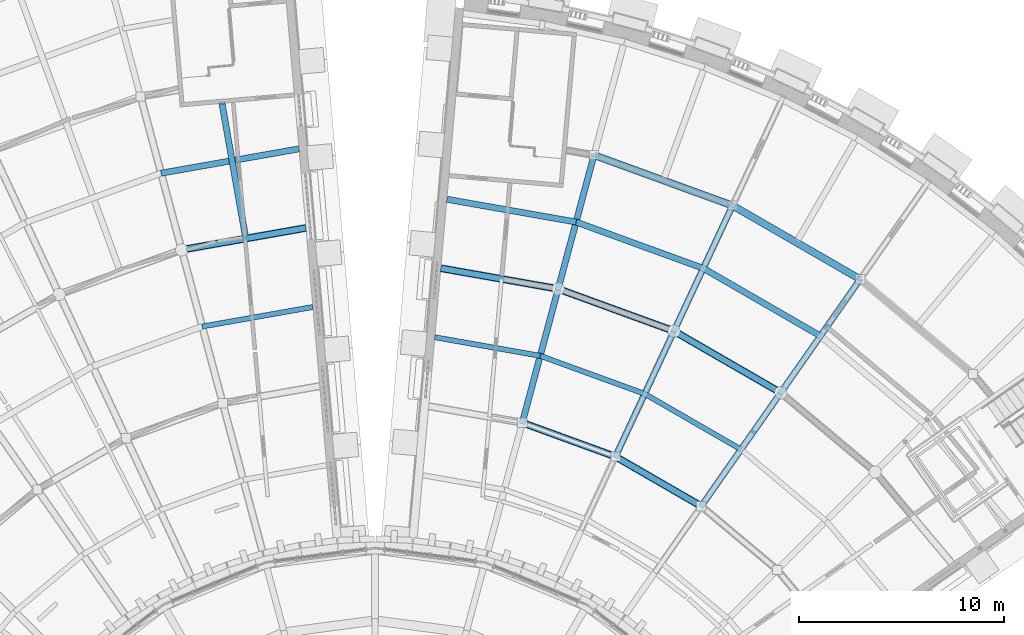
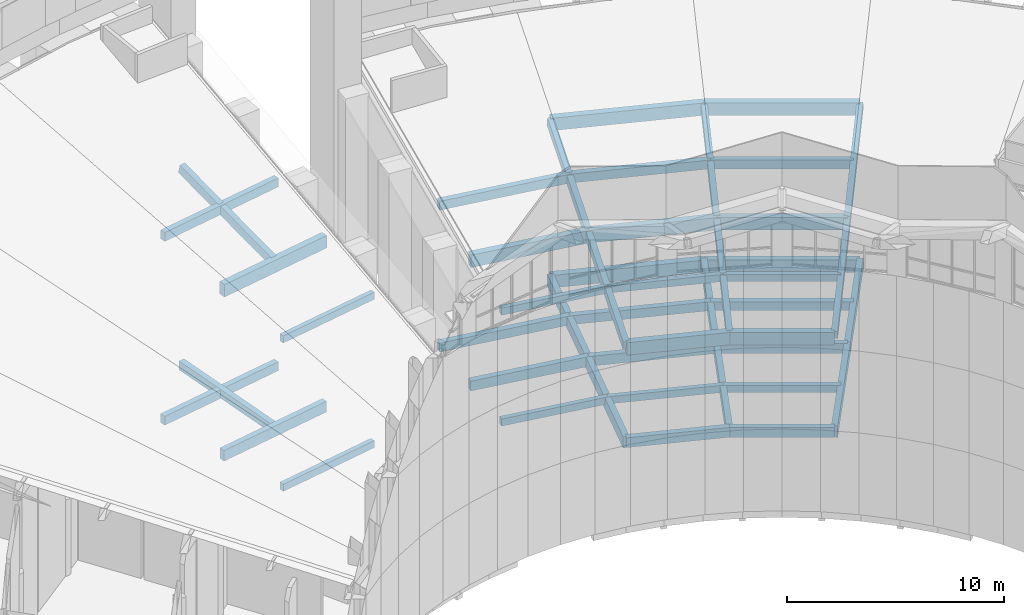
# One storey, part 27 of 82: 46 beams.
"""IFC4 building model written with IfcOpenShell, lengths in metres."""

import ifcopenshell
import ifcopenshell.guid

model = None  # the IFC model being written
_history = None  # IfcOwnerHistory: only IFC2X3 demands one
_inside = {}  # id of a spatial element -> (the spatial element, [elements in it])
_under = {}  # id of a project, library or spatial element -> (it, [spatial elements below it])
_declared = {}  # id of a project -> (the project, [libraries it declares])
_typed = {}  # id of a type object -> (the type object, [elements of that type])
_made_of = {}  # id of a material, layer set ... -> (it, [elements and type objects made of it])


def new_model(schema):
    """Start an empty IFC model of exactly this schema.

    Asked for "IFC4X3", IfcOpenShell would pick the latest addendum, in which some entities
    have other attributes; the version numbers below select the first issue.
    IFC2X3 requires an IfcOwnerHistory on every rooted entity: one is made here for all.
    """
    global model, _history
    if schema == "IFC4X3":
        model = ifcopenshell.file(schema_version=(4, 3, 0, 0))
    else:
        model = ifcopenshell.file(schema=schema)
    _inside.clear()
    _under.clear()
    _declared.clear()
    _typed.clear()
    _made_of.clear()
    _history = None
    if model.schema == "IFC2X3":
        org = make("IfcOrganization", Name="unknown")
        user = make(
            "IfcPersonAndOrganization",
            ThePerson=make("IfcPerson", FamilyName="unknown"),
            TheOrganization=org,
        )
        app = make(
            "IfcApplication",
            ApplicationDeveloper=org,
            Version="unknown",
            ApplicationFullName="unknown",
            ApplicationIdentifier="unknown",
        )
        _history = make(
            "IfcOwnerHistory",
            OwningUser=user,
            OwningApplication=app,
            ChangeAction="ADDED",
            CreationDate=0,
        )
    return model


def make(cls, **values):
    """One entity of the class cls with the attributes given. An attribute that is None is left unset."""
    return model.create_entity(
        cls, **{name: value for name, value in values.items() if value is not None}
    )


def rooted(cls, **values):
    """An entity with a GlobalId (a new one), such as an element, a storey or a relation."""
    return make(cls, GlobalId=ifcopenshell.guid.new(), OwnerHistory=_history, **values)


def si_unit(unit_type, name, prefix=None):
    """IfcSIUnit, for example si_unit("LENGTHUNIT", "METRE", prefix="MILLI")."""
    return make("IfcSIUnit", UnitType=unit_type, Prefix=prefix, Name=name)


def assignment(units):
    """IfcUnitAssignment: the units of a project."""
    return None if units is None else make("IfcUnitAssignment", Units=units)


def point(xyz):
    """IfcCartesianPoint."""
    return None if xyz is None else make("IfcCartesianPoint", Coordinates=xyz)


def direction(xyz):
    """IfcDirection."""
    return None if xyz is None else make("IfcDirection", DirectionRatios=xyz)


def frame(location, z_axis=None, x_axis=None):
    """IfcAxis2Placement3D, a coordinate frame: its origin and axes. An axis left out is left unset."""
    return make(
        "IfcAxis2Placement3D",
        Location=point(location),
        Axis=direction(z_axis),
        RefDirection=direction(x_axis),
    )


def frame_2d(location, x_axis=None):
    """IfcAxis2Placement2D, a coordinate frame in the plane: its origin and x axis."""
    return make(
        "IfcAxis2Placement2D", Location=point(location), RefDirection=direction(x_axis)
    )


def origin():
    """The frame at (0, 0, 0) with its axes left unset."""
    return frame((0.0, 0.0, 0.0))


def origin_2d():
    """The frame at (0, 0) in the plane with its x axis left unset."""
    return frame_2d((0.0, 0.0))


def place(relative_to, where):
    """IfcLocalPlacement: puts the frame where relative to a parent placement (None: the world)."""
    return make(
        "IfcLocalPlacement", PlacementRelTo=relative_to, RelativePlacement=where
    )


def context(
    kind, dimensions, precision=None, world=None, true_north=None, identifier=None
):
    """IfcGeometricRepresentationContext, for example the 3D "Model" context."""
    return make(
        "IfcGeometricRepresentationContext",
        ContextIdentifier=identifier,
        ContextType=kind,
        CoordinateSpaceDimension=dimensions,
        Precision=precision,
        WorldCoordinateSystem=world,
        TrueNorth=true_north,
    )


def subcontext(parent, identifier, kind, view, scale=None):
    """IfcGeometricRepresentationSubContext, for example "Body" below "Model"."""
    return make(
        "IfcGeometricRepresentationSubContext",
        ContextIdentifier=identifier,
        ContextType=kind,
        ParentContext=parent,
        TargetScale=scale,
        TargetView=view,
    )


def project(units=None, contexts=None):
    """IfcProject with its units and contexts."""
    return rooted(
        "IfcProject",
        Name="project",
        RepresentationContexts=contexts,
        UnitsInContext=assignment(units),
    )


def spatial(cls, under=None, at=None, **own):
    """A site, building, storey or space (cls), placed at a placement, below another one or the project."""
    s = rooted(cls, ObjectPlacement=at, **own)
    if under is not None:
        _under.setdefault(under.id(), (under, []))[1].append(s)
    return s


def profile(cls, at=None, kind="AREA", **sizes):
    """A parametric profile (cls). Its sizes go by their IFC names, for example OverallWidth=200.0."""
    return make(cls, ProfileType=kind, Position=at, **sizes)


def rectangle(**sizes):
    """IfcRectangleProfileDef."""
    return profile("IfcRectangleProfileDef", **sizes)


def extrude(swept, where, along, depth):
    """IfcExtrudedAreaSolid: the profile swept, set in the frame where, extruded along a direction by depth."""
    return make(
        "IfcExtrudedAreaSolid",
        SweptArea=swept,
        Position=where,
        ExtrudedDirection=direction(along),
        Depth=depth,
    )


def shape(context_of_items, identifier, shape_type, items):
    """IfcShapeRepresentation: the items that make up one representation, for example the "Body"."""
    return make(
        "IfcShapeRepresentation",
        ContextOfItems=context_of_items,
        RepresentationIdentifier=identifier,
        RepresentationType=shape_type,
        Items=items,
    )


def material(Name=None, Category=None):
    """IfcMaterial."""
    return make("IfcMaterial", Name=Name, Category=Category)


def material_profile(
    of_material, cross_section, Name=None, Category=None, Priority=None
):
    """IfcMaterialProfile: a cross section and its material."""
    return make(
        "IfcMaterialProfile",
        Name=Name,
        Material=of_material,
        Profile=cross_section,
        Priority=Priority,
        Category=Category,
    )


def profile_set(profiles, Name=None, composite=None):
    """IfcMaterialProfileSet."""
    return make(
        "IfcMaterialProfileSet",
        Name=Name,
        MaterialProfiles=profiles,
        CompositeProfile=composite,
    )


def made_of(thing, what):
    """Note that an element or type object is made of a material, layer set ...; save() writes the relation."""
    if what is not None:
        _made_of.setdefault(what.id(), (what, []))[1].append(thing)
    return thing


def type_object(cls, material=None, **own):
    """A type object (cls), such as IfcWallType, which elements share."""
    return made_of(rooted(cls, **own), material)


def element(
    cls,
    number,
    at=None,
    inside=None,
    cuts=None,
    type_object=None,
    material=None,
    context=None,
    identifier="Body",
    shape_type=None,
    held_by="IfcProductDefinitionShape",
    body=None,
    shapes=None,
    **own,
):
    """One element of the class cls, such as IfcWall. Its Tag is "e" and its number.

    at: its placement. inside: the storey or other place that contains it. cuts: it is an
    opening in that element (IfcRelVoidsElement). A single representation is given by context,
    identifier, shape_type and body (its items); several are given by shapes. held_by: the class
    of the entity that holds the representations. save() writes the other relations.
    """
    e = rooted(cls, Tag="e%d" % number, ObjectPlacement=at, **own)
    if body is not None:
        shapes = [shape(context, identifier, shape_type, body)]
    if shapes is not None:
        e.Representation = make(held_by, Representations=shapes)
    if inside is not None:
        _inside.setdefault(inside.id(), (inside, []))[1].append(e)
    if cuts is not None:
        rooted(
            "IfcRelVoidsElement", RelatingBuildingElement=cuts, RelatedOpeningElement=e
        )
    if type_object is not None:
        _typed.setdefault(type_object.id(), (type_object, []))[1].append(e)
    return made_of(e, material)


def aggregate(whole, parts):
    """IfcRelAggregates: a whole, such as a stair, and the parts it consists of."""
    return rooted("IfcRelAggregates", RelatingObject=whole, RelatedObjects=parts)


def save(model, path):
    """Write the relations noted so far, then the file.

    IfcRelAggregates (storeys below a building ...), IfcRelContainedInSpatialStructure (elements
    in a storey), IfcRelDefinesByType, IfcRelAssociatesMaterial and IfcRelDeclares: one each for
    every whole, place, type object, material and project.
    """
    for whole, parts in _under.values():
        aggregate(whole, parts)
    for where, things in _inside.values():
        rooted(
            "IfcRelContainedInSpatialStructure",
            RelatedElements=things,
            RelatingStructure=where,
        )
    for kind, things in _typed.values():
        rooted("IfcRelDefinesByType", RelatedObjects=things, RelatingType=kind)
    for what, things in _made_of.values():
        rooted("IfcRelAssociatesMaterial", RelatedObjects=things, RelatingMaterial=what)
    for by, libraries in _declared.values():
        rooted("IfcRelDeclares", RelatingContext=by, RelatedDefinitions=libraries)
    model.write(path)


model = new_model("IFC4")

# Units and contexts
model_context = context("Model", 3, precision=1e-05, world=origin(), true_north=direction((0.0, 1.0)))
body_context = subcontext(model_context, "Body", "Model", "MODEL_VIEW")
ifc_project = project(units=[si_unit("LENGTHUNIT", "METRE"), si_unit("AREAUNIT", "SQUARE_METRE"), si_unit("VOLUMEUNIT", "CUBIC_METRE"), si_unit("PLANEANGLEUNIT", "RADIAN"), si_unit("MASSUNIT", "GRAM", prefix="KILO")], contexts=[model_context])

# Site, building, storey
site_placement = place(None, origin())
site = spatial("IfcSite", under=ifc_project, at=site_placement, CompositionType="ELEMENT")
building_placement = place(site_placement, origin())
building = spatial("IfcBuilding", under=site, at=building_placement, Name="Volute Hill Aquarium", CompositionType="ELEMENT")
storey_placement = place(building_placement, frame((0.0, 0.0, 13.800048828125)))
storey = spatial("IfcBuildingStorey", under=building, at=storey_placement, Name="L04", CompositionType="ELEMENT", Elevation=13.800048828125)

# Beams
ifc_material_1 = material(Name="Concrete C35/45", Category="concrete")
ifc_material_profile_1 = material_profile(ifc_material_1, rectangle(XDim=0.300048828125, YDim=0.550048828125, at=origin_2d()), Name="RC beam 300x550")
ifc_profile_set_1 = profile_set([ifc_material_profile_1], Name="Concrete C35/45")
beam_type_1 = type_object("IfcBeamType", Name="Beam 300x550 C35/45", PredefinedType="BEAM", material=ifc_profile_set_1)
beam_1_placement = place(storey_placement, frame((15.923828125, 22.74169921875, -0.56494140625), z_axis=(-0.866020919347, 0.500007767194, 0.0), x_axis=(-0.500007767194, -0.866020919347, 0.0)))
element("IfcBeam", 1, at=beam_1_placement, inside=storey, type_object=beam_type_1, Name="bm/S5/L04/ring1.19", PredefinedType="BEAM", context=body_context, shape_type="SweptSolid", body=[
    extrude(rectangle(XDim=0.300048828125, YDim=0.550048828125, at=origin_2d()), origin(), (0.0, 0.0, 1.0), 4.83935546875),
])
beam_2_placement = place(storey_placement, frame((11.73291015625, 25.161376953125, -0.56494140625), z_axis=(-0.939697640454, 0.342006351586, 0.0), x_axis=(-0.342006351586, -0.939697640454, 0.0)))
element("IfcBeam", 2, at=beam_2_placement, inside=storey, type_object=beam_type_1, Name="bm/S5/L04/ring1.20", PredefinedType="BEAM", context=body_context, shape_type="SweptSolid", body=[
    extrude(rectangle(XDim=0.300048828125, YDim=0.550048828125, at=origin_2d()), origin(), (0.0, 0.0, 1.0), 4.839111328125),
])
for number, where, z_axis, x_axis, name in (
    (3, (19.802734375, 28.28125, -0.56494140625), (-0.866030208905, 0.499991677195, 0.0), (-0.499991677195, -0.866030208905, 0.0), "bm/S5/L04/ring2.24"),
    (4, (14.5908203125, 31.290283203125, -0.56494140625), (-0.939687959922, 0.342032948673, 0.0), (-0.342032948673, -0.939687959922, 0.0), "bm/S5/L04/ring2.25"),
):
    element("IfcBeam", number, at=place(storey_placement, frame(where, z_axis=z_axis, x_axis=x_axis)), inside=storey, type_object=beam_type_1, Name=name, PredefinedType="BEAM", context=body_context, shape_type="SweptSolid", body=[
        extrude(rectangle(XDim=0.300048828125, YDim=0.550048828125, at=origin_2d()), origin(), (0.0, 0.0, 1.0), 6.01806640625),
    ])
beam_3_placement = place(storey_placement, frame((8.935791015625, 33.3486328125, -0.56494140625), z_axis=(-0.984812696983, 0.173620136684, 0.0), x_axis=(-0.173620136684, -0.984812696983, 0.0)))
element("IfcBeam", 5, at=beam_3_placement, inside=storey, type_object=beam_type_1, Name="bm/S5/L04/ring2.26", PredefinedType="BEAM", context=body_context, shape_type="SweptSolid", body=[
    extrude(rectangle(XDim=0.300048828125, YDim=0.550048828125, at=origin_2d()), origin(), (0.0, 0.0, 1.0), 5.8173828125),
])
ifc_material_2 = material(Name="Concrete C35/45", Category="concrete")
ifc_material_profile_2 = material_profile(ifc_material_2, rectangle(XDim=0.300048828125, YDim=0.60009765625, at=origin_2d()), Name="RC beam 300x600")
ifc_profile_set_2 = profile_set([ifc_material_profile_2], Name="Concrete C35/45")
beam_type_2 = type_object("IfcBeamType", Name="Beam 300x600 C35/45", PredefinedType="BEAM", material=ifc_profile_set_2)
beam_4_placement = place(storey_placement, frame((-3.37890625, 36.326171875, -0.6201171875), z_axis=(-0.984811866367, -0.173624848056, 0.0), x_axis=(0.173624848056, -0.984811866367, 0.0)))
element("IfcBeam", 6, at=beam_4_placement, inside=storey, type_object=beam_type_2, Name="bm/S6/L04/ring2.22", PredefinedType="BEAM", context=body_context, shape_type="SweptSolid", body=[
    extrude(rectangle(XDim=0.300048828125, YDim=0.60009765625, at=origin_2d()), origin(), (0.0, 0.0, 1.0), 6.16162109375),
])
ifc_material_3 = material(Name="Concrete C35/45", Category="concrete")
ifc_material_profile_3 = material_profile(ifc_material_3, rectangle(XDim=0.300048828125, YDim=0.64990234375, at=origin_2d()), Name="RC beam 300x650")
ifc_profile_set_3 = profile_set([ifc_material_profile_3], Name="Concrete C35/45")
beam_type_3 = type_object("IfcBeamType", Name="Beam 300x650 C35/45", PredefinedType="BEAM", material=ifc_profile_set_3)
beam_5_placement = place(storey_placement, frame((15.923828125, 22.74169921875, -0.614990234375), z_axis=(0.573583484669, 0.819147108959, 0.0), x_axis=(-0.819147108959, 0.573583484669, 0.0)))
element("IfcBeam", 7, at=beam_5_placement, inside=storey, type_object=beam_type_3, Name="bm/S5/L04/rad2.6", PredefinedType="BEAM", context=body_context, shape_type="SweptSolid", body=[
    extrude(rectangle(XDim=0.300048828125, YDim=0.64990234375, at=origin_2d()), origin(), (0.0, 0.0, 1.0), 6.7626953125),
])
for number, where, z_axis, x_axis, name in (
    (8, (19.802734375, 28.28125, -0.614990234375), (0.573559259618, 0.819164071299, 0.0), (-0.819164071299, 0.573559259618, 0.0), "bm/S5/L04/rad2.7"),
    (9, (11.73291015625, 25.161376953125, -0.614990234375), (0.422612703053, 0.906310379074, 0.0), (-0.906310379074, 0.422612703053, 0.0), "bm/S5/L04/rad3.10"),
):
    element("IfcBeam", number, at=place(storey_placement, frame(where, z_axis=z_axis, x_axis=x_axis)), inside=storey, type_object=beam_type_3, Name=name, PredefinedType="BEAM", context=body_context, shape_type="SweptSolid", body=[
        extrude(rectangle(XDim=0.300048828125, YDim=0.64990234375, at=origin_2d()), origin(), (0.0, 0.0, 1.0), 6.762451171875),
    ])
for number, where, z_axis, x_axis, name in (
    (10, (14.5908203125, 31.290283203125, -0.614990234375), (0.422642356692, 0.906296550986, 0.0), (-0.906296550986, 0.422642356692, 0.0), "bm/S5/L04/rad3.11"),
    (11, (7.185546875, 26.81640625, -0.614990234375), (0.258810671738, 0.965928069886, 0.0), (-0.965928069886, 0.258810671738, 0.0), "bm/S5/L04/rad4.14"),
):
    element("IfcBeam", number, at=place(storey_placement, frame(where, z_axis=z_axis, x_axis=x_axis)), inside=storey, type_object=beam_type_3, Name=name, PredefinedType="BEAM", context=body_context, shape_type="SweptSolid", body=[
        extrude(rectangle(XDim=0.300048828125, YDim=0.64990234375, at=origin_2d()), origin(), (0.0, 0.0, 1.0), 6.7626953125),
    ])
beam_6_placement = place(storey_placement, frame((8.935791015625, 33.3486328125, -0.614990234375), z_axis=(0.258819697111, 0.965925651584, 0.0), x_axis=(-0.965925651584, 0.258819697111, 0.0)))
element("IfcBeam", 12, at=beam_6_placement, inside=storey, type_object=beam_type_3, Name="bm/S5/L04/rad4.15", PredefinedType="BEAM", context=body_context, shape_type="SweptSolid", body=[
    extrude(rectangle(XDim=0.300048828125, YDim=0.64990234375, at=origin_2d()), origin(), (0.0, 0.0, 1.0), 6.762451171875),
])
ifc_material_4 = material(Name="Concrete C35/45", Category="concrete")
ifc_material_profile_4 = material_profile(ifc_material_4, rectangle(XDim=0.35009765625, YDim=0.699951171875, at=origin_2d()), Name="RC beam 350x700")
ifc_profile_set_4 = profile_set([ifc_material_profile_4], Name="Concrete C35/45")
beam_type_4 = type_object("IfcBeamType", Name="Beam 350x700 C35/45", PredefinedType="BEAM", material=ifc_profile_set_4)
beam_7_placement = place(storey_placement, frame((23.681396484375, 33.82080078125, -0.64013671875), z_axis=(-0.866019493664, 0.50001023649, 0.0), x_axis=(-0.50001023649, -0.866019493664, 0.0)))
element("IfcBeam", 13, at=beam_7_placement, inside=storey, type_object=beam_type_4, Name="bm/S5/L04/ring3.29", PredefinedType="BEAM", context=body_context, shape_type="SweptSolid", body=[
    extrude(rectangle(XDim=0.35009765625, YDim=0.699951171875, at=origin_2d()), origin(), (0.0, 0.0, 1.0), 7.196533203125),
])
beam_8_placement = place(storey_placement, frame((17.448974609375, 37.419189453125, -0.64013671875), z_axis=(-0.939696321717, 0.34200997493, 0.0), x_axis=(-0.34200997493, -0.939696321717, 0.0)))
element("IfcBeam", 14, at=beam_8_placement, inside=storey, type_object=beam_type_4, Name="bm/S5/L04/ring3.30", PredefinedType="BEAM", context=body_context, shape_type="SweptSolid", body=[
    extrude(rectangle(XDim=0.35009765625, YDim=0.699951171875, at=origin_2d()), origin(), (0.0, 0.0, 1.0), 7.197021484375),
])
beam_9_placement = place(storey_placement, frame((15.923828125, 22.74169921875, 4.730224609375), z_axis=(-0.866020919347, 0.500007767194, 0.0), x_axis=(-0.500007767194, -0.866020919347, 0.0)))
element("IfcBeam", 15, at=beam_9_placement, inside=storey, type_object=beam_type_4, Name="rb/S5/L04/ring1.19", PredefinedType="BEAM", context=body_context, shape_type="SweptSolid", body=[
    extrude(rectangle(XDim=0.35009765625, YDim=0.699951171875, at=origin_2d()), origin(), (0.0, 0.0, 1.0), 4.83935546875),
])
beam_10_placement = place(storey_placement, frame((11.73291015625, 25.161376953125, 4.730224609375), z_axis=(-0.939697640454, 0.342006351586, 0.0), x_axis=(-0.342006351586, -0.939697640454, 0.0)))
element("IfcBeam", 16, at=beam_10_placement, inside=storey, type_object=beam_type_4, Name="rb/S5/L04/ring1.20", PredefinedType="BEAM", context=body_context, shape_type="SweptSolid", body=[
    extrude(rectangle(XDim=0.35009765625, YDim=0.699951171875, at=origin_2d()), origin(), (0.0, 0.0, 1.0), 4.839111328125),
])
for number, where, z_axis, x_axis, name in (
    (17, (19.802734375, 28.28125, 6.46875), (-0.866030208905, 0.499991677195, 0.0), (-0.499991677195, -0.866030208905, 0.0), "rb/S5/L04/ring2.24"),
    (18, (14.5908203125, 31.290283203125, 6.46875), (-0.939687959922, 0.342032948673, 0.0), (-0.342032948673, -0.939687959922, 0.0), "rb/S5/L04/ring2.25"),
):
    element("IfcBeam", number, at=place(storey_placement, frame(where, z_axis=z_axis, x_axis=x_axis)), inside=storey, type_object=beam_type_4, Name=name, PredefinedType="BEAM", context=body_context, shape_type="SweptSolid", body=[
        extrude(rectangle(XDim=0.35009765625, YDim=0.699951171875, at=origin_2d()), origin(), (0.0, 0.0, 1.0), 6.01806640625),
    ])
beam_11_placement = place(storey_placement, frame((8.935791015625, 33.3486328125, 6.46875), z_axis=(-0.984812696983, 0.173620136684, 0.0), x_axis=(-0.173620136684, -0.984812696983, 0.0)))
element("IfcBeam", 19, at=beam_11_placement, inside=storey, type_object=beam_type_4, Name="rb/S5/L04/ring2.26", PredefinedType="BEAM", context=body_context, shape_type="SweptSolid", body=[
    extrude(rectangle(XDim=0.35009765625, YDim=0.699951171875, at=origin_2d()), origin(), (0.0, 0.0, 1.0), 5.8173828125),
])
beam_12_placement = place(storey_placement, frame((23.681396484375, 33.82080078125, 8.207275390625), z_axis=(-0.866019493664, 0.50001023649, 0.0), x_axis=(-0.50001023649, -0.866019493664, 0.0)))
element("IfcBeam", 20, at=beam_12_placement, inside=storey, type_object=beam_type_4, Name="rb/S5/L04/ring3.29", PredefinedType="BEAM", context=body_context, shape_type="SweptSolid", body=[
    extrude(rectangle(XDim=0.35009765625, YDim=0.699951171875, at=origin_2d()), origin(), (0.0, 0.0, 1.0), 7.196533203125),
])
beam_13_placement = place(storey_placement, frame((17.448974609375, 37.419189453125, 8.207275390625), z_axis=(-0.939696321717, 0.34200997493, 0.0), x_axis=(-0.34200997493, -0.939696321717, 0.0)))
element("IfcBeam", 21, at=beam_13_placement, inside=storey, type_object=beam_type_4, Name="rb/S5/L04/ring3.30", PredefinedType="BEAM", context=body_context, shape_type="SweptSolid", body=[
    extrude(rectangle(XDim=0.35009765625, YDim=0.699951171875, at=origin_2d()), origin(), (0.0, 0.0, 1.0), 7.197021484375),
])
beam_14_placement = place(storey_placement, frame((-3.37890625, 36.326171875, 8.676513671875), z_axis=(-0.984811866367, -0.173624848056, 0.0), x_axis=(0.173624848056, -0.984811866367, 0.0)))
element("IfcBeam", 22, at=beam_14_placement, inside=storey, type_object=beam_type_4, Name="rb/S6/L04/ring2.22", PredefinedType="BEAM", context=body_context, shape_type="SweptSolid", body=[
    extrude(rectangle(XDim=0.35009765625, YDim=0.699951171875, at=origin_2d()), origin(), (0.0, 0.0, 1.0), 6.16162109375),
])
ifc_material_5 = material(Name="Concrete C35/45", Category="concrete")
ifc_material_profile_5 = material_profile(ifc_material_5, rectangle(XDim=0.25, YDim=0.39990234375, at=origin_2d()), Name="RC joist 250x400")
ifc_profile_set_5 = profile_set([ifc_material_profile_5], Name="Concrete C35/45")
beam_type_5 = type_object("IfcBeamType", Name="Joist 250x400 C35/45", PredefinedType="BEAM", material=ifc_profile_set_5)
for number, where, z_axis, x_axis, name in (
    (23, (17.86328125, 25.511474609375, -0.489990234375), (-0.866026068486, 0.499998848701, 0.0), (-0.499998848701, -0.866026068486, 0.0), "bm/S5/L04/jst8"),
    (24, (13.161865234375, 28.225830078125, -0.489990234375), (-0.939694905115, 0.342013867117, 0.0), (-0.342013867117, -0.939694905115, 0.0), "bm/S5/L04/jst9"),
):
    element("IfcBeam", number, at=place(storey_placement, frame(where, z_axis=z_axis, x_axis=x_axis)), inside=storey, type_object=beam_type_5, Name=name, PredefinedType="BEAM", context=body_context, shape_type="SweptSolid", body=[
        extrude(rectangle(XDim=0.25, YDim=0.39990234375, at=origin_2d()), origin(), (0.0, 0.0, 1.0), 5.4287109375),
    ])
beam_15_placement = place(storey_placement, frame((8.060546875, 30.08251953125, -0.489990234375), z_axis=(-0.984810814514, 0.17363081413, 0.0), x_axis=(-0.17363081413, -0.984810814514, 0.0)))
element("IfcBeam", 25, at=beam_15_placement, inside=storey, type_object=beam_type_5, Name="bm/S5/L04/jst10", PredefinedType="BEAM", context=body_context, shape_type="SweptSolid", body=[
    extrude(rectangle(XDim=0.25, YDim=0.39990234375, at=origin_2d()), origin(), (0.0, 0.0, 1.0), 5.227783203125),
])
for number, where, z_axis, x_axis, name in (
    (26, (17.86328125, 25.511474609375, 5.74951171875), (-0.866026068486, 0.499998848701, 0.0), (-0.499998848701, -0.866026068486, 0.0), "rb/S5/L04/jst8"),
    (27, (13.161865234375, 28.225830078125, 5.74951171875), (-0.939694905115, 0.342013867117, 0.0), (-0.342013867117, -0.939694905115, 0.0), "rb/S5/L04/jst9"),
):
    element("IfcBeam", number, at=place(storey_placement, frame(where, z_axis=z_axis, x_axis=x_axis)), inside=storey, type_object=beam_type_5, Name=name, PredefinedType="BEAM", context=body_context, shape_type="SweptSolid", body=[
        extrude(rectangle(XDim=0.25, YDim=0.39990234375, at=origin_2d()), origin(), (0.0, 0.0, 1.0), 5.4287109375),
    ])
beam_16_placement = place(storey_placement, frame((8.060546875, 30.08251953125, 5.74951171875), z_axis=(-0.984810814514, 0.17363081413, 0.0), x_axis=(-0.17363081413, -0.984810814514, 0.0)))
element("IfcBeam", 28, at=beam_16_placement, inside=storey, type_object=beam_type_5, Name="rb/S5/L04/jst10", PredefinedType="BEAM", context=body_context, shape_type="SweptSolid", body=[
    extrude(rectangle(XDim=0.25, YDim=0.39990234375, at=origin_2d()), origin(), (0.0, 0.0, 1.0), 5.227783203125),
])
for number, where, z_axis, x_axis, name in (
    (29, (-3.041259765625, 32.466064453125, -0.52001953125), (-0.984801025602, -0.173686326386, 0.0), (0.173686326386, -0.984801025602, 0.0), "bm/S6/L04/jst6"),
    (30, (-3.041259765625, 32.466064453125, 7.830322265625), (-0.984801025602, -0.173686326386, 0.0), (0.173686326386, -0.984801025602, 0.0), "rb/S6/L04/jst6"),
):
    element("IfcBeam", number, at=place(storey_placement, frame(where, z_axis=z_axis, x_axis=x_axis)), inside=storey, type_object=beam_type_5, Name=name, PredefinedType="BEAM", context=body_context, shape_type="SweptSolid", body=[
        extrude(rectangle(XDim=0.25, YDim=0.39990234375, at=origin_2d()), origin(), (0.0, 0.0, 1.0), 5.486328125),
    ])
ifc_material_6 = material(Name="Concrete C35/45", Category="concrete")
ifc_material_profile_6 = material_profile(ifc_material_6, rectangle(XDim=0.300048828125, YDim=0.5, at=origin_2d()), Name="RC joist 300x500")
ifc_profile_set_6 = profile_set([ifc_material_profile_6], Name="Concrete C35/45")
beam_type_6 = type_object("IfcBeamType", Name="Joist 300x500 C35/45", PredefinedType="BEAM", material=ifc_profile_set_6)
beam_17_placement = place(storey_placement, frame((21.7421875, 31.051025390625, -0.5400390625), z_axis=(-0.866024373554, 0.500001784407, 0.0), x_axis=(-0.500001784407, -0.866024373554, 0.0)))
element("IfcBeam", 31, at=beam_17_placement, inside=storey, type_object=beam_type_6, Name="bm/S5/L04/jst13", PredefinedType="BEAM", context=body_context, shape_type="SweptSolid", body=[
    extrude(rectangle(XDim=0.300048828125, YDim=0.5, at=origin_2d()), origin(), (0.0, 0.0, 1.0), 6.607421875),
])
beam_18_placement = place(storey_placement, frame((16.02001953125, 34.354736328125, -0.5400390625), z_axis=(-0.939702773043, 0.34199224894, 0.0), x_axis=(-0.34199224894, -0.939702773043, 0.0)))
element("IfcBeam", 32, at=beam_18_placement, inside=storey, type_object=beam_type_6, Name="bm/S5/L04/jst14", PredefinedType="BEAM", context=body_context, shape_type="SweptSolid", body=[
    extrude(rectangle(XDim=0.300048828125, YDim=0.5, at=origin_2d()), origin(), (0.0, 0.0, 1.0), 6.607666015625),
])
beam_19_placement = place(storey_placement, frame((9.810791015625, 36.614501953125, -0.5400390625), z_axis=(-0.984806568003, 0.173654898053, 0.0), x_axis=(-0.173654898053, -0.984806568003, 0.0)))
element("IfcBeam", 33, at=beam_19_placement, inside=storey, type_object=beam_type_6, Name="bm/S5/L04/jst15", PredefinedType="BEAM", context=body_context, shape_type="SweptSolid", body=[
    extrude(rectangle(XDim=0.300048828125, YDim=0.5, at=origin_2d()), origin(), (0.0, 0.0, 1.0), 6.40673828125),
])
beam_20_placement = place(storey_placement, frame((21.7421875, 31.051025390625, 7.43798828125), z_axis=(-0.866024373554, 0.500001784407, 0.0), x_axis=(-0.500001784407, -0.866024373554, 0.0)))
element("IfcBeam", 34, at=beam_20_placement, inside=storey, type_object=beam_type_6, Name="rb/S5/L04/jst13", PredefinedType="BEAM", context=body_context, shape_type="SweptSolid", body=[
    extrude(rectangle(XDim=0.300048828125, YDim=0.5, at=origin_2d()), origin(), (0.0, 0.0, 1.0), 6.607421875),
])
beam_21_placement = place(storey_placement, frame((16.02001953125, 34.354736328125, 7.43798828125), z_axis=(-0.939702773043, 0.34199224894, 0.0), x_axis=(-0.34199224894, -0.939702773043, 0.0)))
element("IfcBeam", 35, at=beam_21_placement, inside=storey, type_object=beam_type_6, Name="rb/S5/L04/jst14", PredefinedType="BEAM", context=body_context, shape_type="SweptSolid", body=[
    extrude(rectangle(XDim=0.300048828125, YDim=0.5, at=origin_2d()), origin(), (0.0, 0.0, 1.0), 6.607666015625),
])
beam_22_placement = place(storey_placement, frame((9.810791015625, 36.614501953125, 7.43798828125), z_axis=(-0.984806568003, 0.173654898053, 0.0), x_axis=(-0.173654898053, -0.984806568003, 0.0)))
element("IfcBeam", 36, at=beam_22_placement, inside=storey, type_object=beam_type_6, Name="rb/S5/L04/jst15", PredefinedType="BEAM", context=body_context, shape_type="SweptSolid", body=[
    extrude(rectangle(XDim=0.300048828125, YDim=0.5, at=origin_2d()), origin(), (0.0, 0.0, 1.0), 6.40673828125),
])
beam_23_placement = place(storey_placement, frame((-3.716552734375, 40.1865234375, -0.570068359375), z_axis=(-0.984807275484, -0.173650885843, 0.0), x_axis=(0.173650885843, -0.984807275484, 0.0)))
element("IfcBeam", 37, at=beam_23_placement, inside=storey, type_object=beam_type_6, Name="bm/S6/L04/jst11", PredefinedType="BEAM", context=body_context, shape_type="SweptSolid", body=[
    extrude(rectangle(XDim=0.300048828125, YDim=0.5, at=origin_2d()), origin(), (0.0, 0.0, 1.0), 6.8369140625),
])
beam_24_placement = place(storey_placement, frame((-6.338134765625, 35.945556640625, -0.570068359375), z_axis=(-0.173626192021, 0.984811629422, 0.0), x_axis=(-0.984811629422, -0.173626192021, 0.0)))
element("IfcBeam", 38, at=beam_24_placement, inside=storey, type_object=beam_type_6, Name="bm/S6/L04/rjst1", PredefinedType="BEAM", context=body_context, shape_type="SweptSolid", body=[
    extrude(rectangle(XDim=0.300048828125, YDim=0.5, at=origin_2d()), origin(), (0.0, 0.0, 1.0), 6.563720703125),
])
beam_25_placement = place(storey_placement, frame((-3.716552734375, 40.1865234375, 9.772705078125), z_axis=(-0.984807275484, -0.173650885843, 0.0), x_axis=(0.173650885843, -0.984807275484, 0.0)))
element("IfcBeam", 39, at=beam_25_placement, inside=storey, type_object=beam_type_6, Name="rb/S6/L04/jst11", PredefinedType="BEAM", context=body_context, shape_type="SweptSolid", body=[
    extrude(rectangle(XDim=0.300048828125, YDim=0.5, at=origin_2d()), origin(), (0.0, 0.0, 1.0), 6.8369140625),
])
beam_26_placement = place(storey_placement, frame((-6.338134765625, 35.945556640625, 8.80419921875), z_axis=(-0.168118536681, 0.953572085626, 0.249872837938), x_axis=(-0.984811629422, -0.173626192021, 0.0)))
element("IfcBeam", 40, at=beam_26_placement, inside=storey, type_object=beam_type_6, Name="rb/S6/L04/rjst1", PredefinedType="BEAM", context=body_context, shape_type="SweptSolid", body=[
    extrude(rectangle(XDim=0.300048828125, YDim=0.5, at=origin_2d()), origin(), (0.0, 0.0, 1.0), 6.77880859375),
])
ifc_material_7 = material(Name="Concrete C35/45", Category="concrete")
ifc_material_profile_7 = material_profile(ifc_material_7, rectangle(XDim=0.300048828125, YDim=0.5, at=origin_2d()), Name="RC rib 300x500")
ifc_profile_set_7 = profile_set([ifc_material_profile_7], Name="Concrete C35/45")
beam_type_7 = type_object("IfcBeamType", Name="Roof rib 300x500 C35/45", PredefinedType="BEAM", material=ifc_profile_set_7)
for number, where, z_axis, x_axis, name in (
    (41, (15.923828125, 22.74169921875, 4.822265625), (0.555524800163, 0.793357106979, 0.248951194433), (-0.819147108959, 0.573583484669, 0.0), "rb/S5/L04/rib2.6"),
    (42, (19.802734375, 28.28125, 6.560546875), (0.555495789021, 0.793365610429, 0.2489888282), (-0.819164071299, 0.573559259618, 0.0), "rb/S5/L04/rib2.7"),
    (43, (11.73291015625, 25.161376953125, 4.822265625), (0.40930679121, 0.877775302113, 0.248954754264), (-0.906310379074, 0.422612703053, 0.0), "rb/S5/L04/rib3.10"),
    (44, (14.5908203125, 31.290283203125, 6.560546875), (0.40932877127, 0.877747456562, 0.249016785597), (-0.906296550986, 0.422642356692, 0.0), "rb/S5/L04/rib3.11"),
    (45, (7.185546875, 26.81640625, 4.822265625), (0.25066242083, 0.935517329016, 0.248949147204), (-0.965928069886, 0.258810671738, 0.0), "rb/S5/L04/rib4.14"),
    (46, (8.935791015625, 33.3486328125, 6.560546875), (0.250666255599, 0.935496675765, 0.249022886369), (-0.965925651584, 0.258819697111, 0.0), "rb/S5/L04/rib4.15"),
):
    element("IfcBeam", number, at=place(storey_placement, frame(where, z_axis=z_axis, x_axis=x_axis)), inside=storey, type_object=beam_type_7, Name=name, PredefinedType="BEAM", context=body_context, shape_type="SweptSolid", body=[
        extrude(rectangle(XDim=0.300048828125, YDim=0.5, at=origin_2d()), origin(), (0.0, 0.0, 1.0), 6.982421875),
    ])

save(model, "model.ifc")
